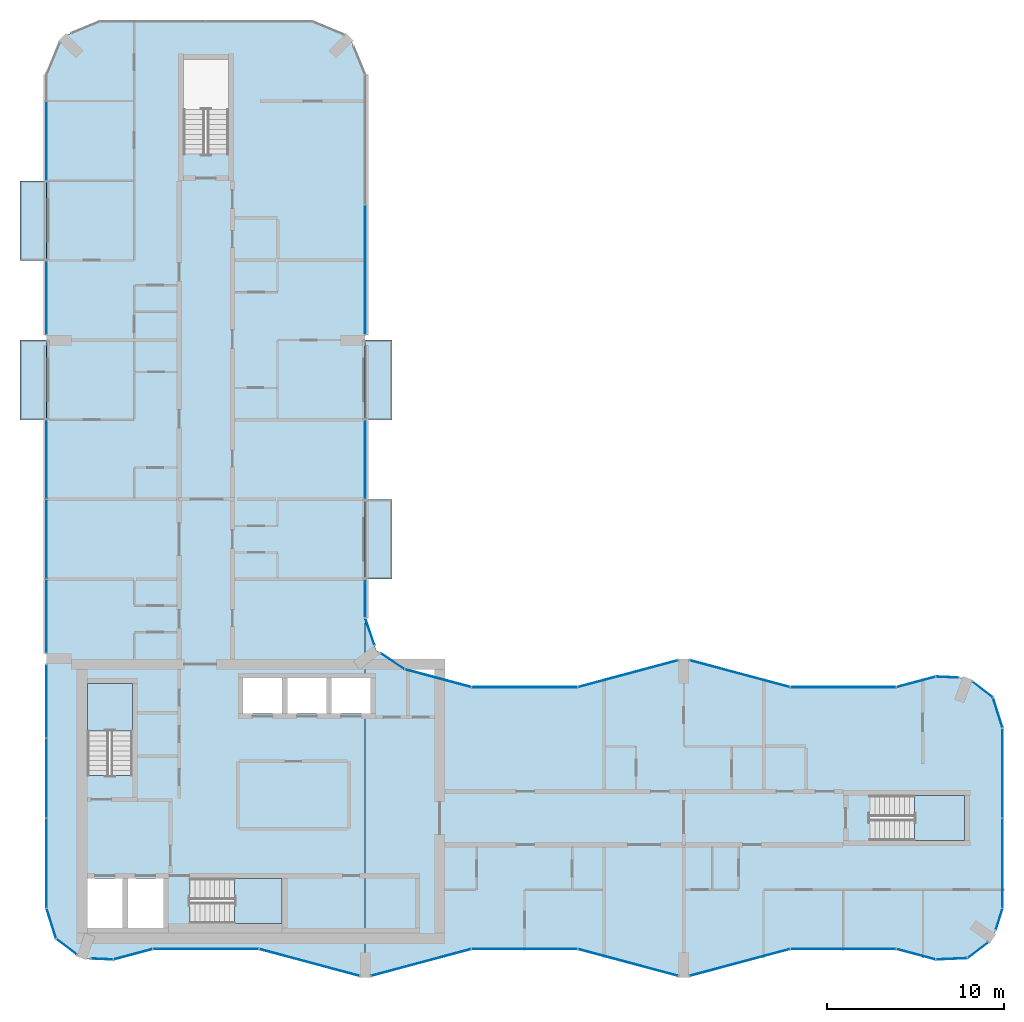
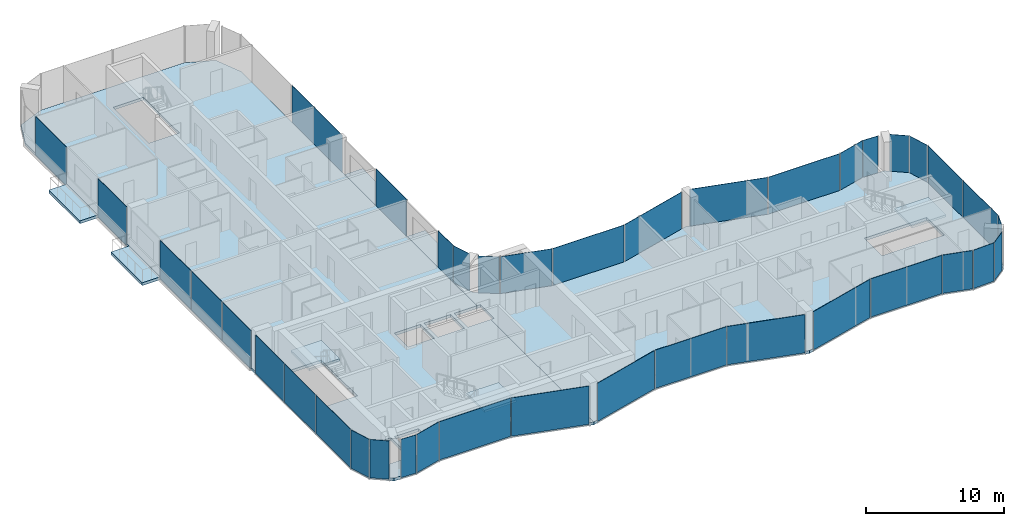
# One storey, part 8 of 15: 39 plates, 9 slabs, 37 elements without a shape of their own.
"""IFC4 building model written with IfcOpenShell, lengths in metres."""

from ifc_helpers import new_model, si_unit, direction, frame, origin, origin_2d, place, context, subcontext, project, spatial, polyline, rectangle, outline, extrude, material, layer, layer_set, type_object, element, aggregate, save


model = new_model("IFC4")

# Units and contexts
model_context = context("Model", 3, precision=1e-05, world=origin(), true_north=direction((0.0, 1.0)))
body_context = subcontext(model_context, "Body", "Model", "MODEL_VIEW")
ifc_project = project(units=[si_unit("LENGTHUNIT", "METRE"), si_unit("AREAUNIT", "SQUARE_METRE"), si_unit("VOLUMEUNIT", "CUBIC_METRE"), si_unit("PLANEANGLEUNIT", "RADIAN"), si_unit("MASSUNIT", "GRAM", prefix="KILO")], contexts=[model_context])

# Site, building, storey
site_placement = place(None, origin())
site = spatial("IfcSite", under=ifc_project, at=site_placement, CompositionType="ELEMENT")
building_placement = place(site_placement, origin())
building = spatial("IfcBuilding", under=site, at=building_placement, Name="Plateau Cross Towers", CompositionType="ELEMENT")
storey_placement = place(building_placement, frame((0.0, 0.0, 153.39990234375)))
storey = spatial("IfcBuildingStorey", under=building, at=storey_placement, Name="L39", CompositionType="ELEMENT", Elevation=153.39990234375)

# Slabs
ifc_material_1 = material(Name="Concrete C40/50", Category="concrete")
ifc_layer_1 = layer(ifc_material_1, 0.25)
ifc_layer_set_1 = layer_set([ifc_layer_1], Name="Concrete C40/50")
slab_type_1 = type_object("IfcSlabType", Name="Balcony slab 250", PredefinedType="FLOOR", material=ifc_layer_set_1)
slab_1_placement = place(storey_placement, frame((0.0, 0.0, -0.25)))
element("IfcSlab", 1, at=slab_1_placement, inside=storey, type_object=slab_type_1, Name="Balcony slab A-BAL-L39-01", PredefinedType="FLOOR", context=body_context, shape_type="SweptSolid", body=[
    extrude(outline(polyline([(0.0, 31.5), (0.0, 36.0), (-1.5, 36.0), (-1.5, 31.5), (0.0, 31.5)])), origin(), (0.0, 0.0, 1.0), 0.25),
])
slab_2_placement = place(storey_placement, frame((0.0, 0.0, -0.25)))
element("IfcSlab", 2, at=slab_2_placement, inside=storey, type_object=slab_type_1, Name="Balcony slab A-BAL-L39-02", PredefinedType="FLOOR", context=body_context, shape_type="SweptSolid", body=[
    extrude(outline(polyline([(0.0, 40.5), (0.0, 45.0), (-1.5, 45.0), (-1.5, 40.5), (0.0, 40.5)])), origin(), (0.0, 0.0, 1.0), 0.25),
])
slab_3_placement = place(storey_placement, frame((0.0, 0.0, -0.25)))
element("IfcSlab", 3, at=slab_3_placement, inside=storey, type_object=slab_type_1, Name="Balcony slab A-BAL-L39-03", PredefinedType="FLOOR", context=body_context, shape_type="SweptSolid", body=[
    extrude(outline(polyline([(19.5, 22.5), (19.5, 27.0), (18.0, 27.0), (18.0, 22.5), (19.5, 22.5)])), origin(), (0.0, 0.0, 1.0), 0.25),
])
slab_4_placement = place(storey_placement, frame((0.0, 0.0, -0.25)))
element("IfcSlab", 4, at=slab_4_placement, inside=storey, type_object=slab_type_1, Name="Balcony slab A-BAL-L39-04", PredefinedType="FLOOR", context=body_context, shape_type="SweptSolid", body=[
    extrude(outline(polyline([(19.5, 31.5), (19.5, 36.0), (18.0, 36.0), (18.0, 31.5), (19.5, 31.5)])), origin(), (0.0, 0.0, 1.0), 0.25),
])

# Curtain wall, plate
ifc_material_2 = material(Name="Dark low-iron glass", Category="glass")
ifc_layer_2 = layer(ifc_material_2, 0.239990234375)
ifc_layer_set_2 = layer_set([ifc_layer_2], Name="Dark low-iron glass")
curtain_wall_type_1 = type_object("IfcCurtainWallType", Name="Curtain wall flush unitised CW-B", PredefinedType="NOTDEFINED", material=ifc_layer_set_2)
curtain_wall_1_placement = place(storey_placement, origin())
curtain_wall_1 = element("IfcCurtainWall", 5, at=curtain_wall_1_placement, inside=storey, type_object=curtain_wall_type_1, Name="ENV/A/L39/A502_10", PredefinedType="NOTDEFINED")
ifc_layer_3 = layer(ifc_material_2, 0.031982421875)
ifc_layer_set_3 = layer_set([ifc_layer_3], Name="Dark low-iron glass")
plate_type_1 = type_object("IfcPlateType", Name="Glass panel 32 flush unitised", PredefinedType="CURTAIN_PANEL", material=ifc_layer_set_3)
plate_1_placement = place(storey_placement, frame((51.125, 1.05078125, -0.1298828125), z_axis=(0.0, 0.0, 1.0), x_axis=(0.999043701491, 0.043722791671, 0.0)))
plate_1 = element("IfcPlate", 6, at=plate_1_placement, type_object=plate_type_1, Name="CW-B panel 1", PredefinedType="CURTAIN_PANEL", context=body_context, shape_type="SweptSolid", body=[
    extrude(rectangle(XDim=1.744140625, YDim=0.031982421875, at=origin_2d()), origin(), (0.0, 0.0, 1.0), 3.3798828125),
])
aggregate(curtain_wall_1, [plate_1])

curtain_wall_2_placement = place(storey_placement, origin())
curtain_wall_2 = element("IfcCurtainWall", 7, at=curtain_wall_2_placement, inside=storey, type_object=curtain_wall_type_1, Name="ENV/A/L39/A520_11", PredefinedType="NOTDEFINED")
plate_2_placement = place(storey_placement, frame((52.60986328125, 1.5380859375, -0.1298828125), z_axis=(0.0, 0.0, 1.0), x_axis=(0.793315514529, 0.608810721331, 0.0)))
plate_2 = element("IfcPlate", 8, at=plate_2_placement, type_object=plate_type_1, Name="CW-B panel 1", PredefinedType="CURTAIN_PANEL", context=body_context, shape_type="SweptSolid", body=[
    extrude(rectangle(XDim=1.41162109375, YDim=0.031982421875, at=origin_2d()), origin(), (0.0, 0.0, 1.0), 3.3798828125),
])
aggregate(curtain_wall_2, [plate_2])

curtain_wall_3_placement = place(storey_placement, origin())
curtain_wall_3 = element("IfcCurtainWall", 9, at=curtain_wall_3_placement, inside=storey, type_object=curtain_wall_type_1, Name="ENV/A/L39/A536_27", PredefinedType="NOTDEFINED")
plate_3_placement = place(storey_placement, frame((53.805419921875, 3.292236328125, -0.1298828125), z_axis=(0.0, 0.0, 1.0), x_axis=(0.300686174994, 0.95372313811, 0.0)))
plate_3 = element("IfcPlate", 10, at=plate_3_placement, type_object=plate_type_1, Name="CW-B panel 1", PredefinedType="CURTAIN_PANEL", context=body_context, shape_type="SweptSolid", body=[
    extrude(rectangle(XDim=1.233642578125, YDim=0.031982421875, at=origin_2d()), origin(), (0.0, 0.0, 1.0), 3.3798828125),
])
aggregate(curtain_wall_3, [plate_3])

# Curtain wall, plates
curtain_wall_4_placement = place(storey_placement, origin())
curtain_wall_4 = element("IfcCurtainWall", 11, at=curtain_wall_4_placement, inside=storey, type_object=curtain_wall_type_1, Name="ENV/A/L39/A540_39", PredefinedType="NOTDEFINED")
plate_4_placement = place(storey_placement, frame((54.0, 6.45458984375, -0.1298828125), z_axis=(0.0, 0.0, 1.0), x_axis=(0.0, 1.0, 0.0)))
plate_4 = element("IfcPlate", 12, at=plate_4_placement, type_object=plate_type_1, Name="CW-B panel 1", PredefinedType="CURTAIN_PANEL", context=body_context, shape_type="SweptSolid", body=[
    extrude(rectangle(XDim=5.03076171875, YDim=0.031982421875, at=origin_2d()), origin(), (0.0, 0.0, 1.0), 3.3798828125),
])
plate_5_placement = place(storey_placement, frame((54.0, 11.54541015625, -0.1298828125), z_axis=(0.0, 0.0, 1.0), x_axis=(0.0, 1.0, 0.0)))
plate_5 = element("IfcPlate", 13, at=plate_5_placement, type_object=plate_type_1, Name="CW-B panel 2", PredefinedType="CURTAIN_PANEL", context=body_context, shape_type="SweptSolid", body=[
    extrude(rectangle(XDim=5.03076171875, YDim=0.031982421875, at=origin_2d()), origin(), (0.0, 0.0, 1.0), 3.3798828125),
])
aggregate(curtain_wall_4, [plate_4, plate_5])

# Curtain wall, plate
curtain_wall_5_placement = place(storey_placement, origin())
curtain_wall_5 = element("IfcCurtainWall", 14, at=curtain_wall_5_placement, inside=storey, type_object=curtain_wall_type_1, Name="ENV/A/L39/A540_141", PredefinedType="NOTDEFINED")
plate_6_placement = place(storey_placement, frame((53.728759765625, 14.951171875, -0.1298828125), z_axis=(0.0, 0.0, 1.0), x_axis=(-0.300686174994, 0.95372313811, 0.0)))
plate_6 = element("IfcPlate", 15, at=plate_6_placement, type_object=plate_type_1, Name="CW-B panel 1", PredefinedType="CURTAIN_PANEL", context=body_context, shape_type="SweptSolid", body=[
    extrude(rectangle(XDim=1.744140625, YDim=0.031982421875, at=origin_2d()), origin(), (0.0, 0.0, 1.0), 3.3798828125),
])
aggregate(curtain_wall_5, [plate_6])

curtain_wall_6_placement = place(storey_placement, origin())
curtain_wall_6 = element("IfcCurtainWall", 16, at=curtain_wall_6_placement, inside=storey, type_object=curtain_wall_type_1, Name="ENV/A/L39/A535_158", PredefinedType="NOTDEFINED")
plate_7_placement = place(storey_placement, frame((52.873779296875, 16.25927734375, -0.1298828125), z_axis=(0.0, 0.0, 1.0), x_axis=(-0.793315514529, 0.608810721331, 0.0)))
plate_7 = element("IfcPlate", 17, at=plate_7_placement, type_object=plate_type_1, Name="CW-B panel 1", PredefinedType="CURTAIN_PANEL", context=body_context, shape_type="SweptSolid", body=[
    extrude(rectangle(XDim=1.41162109375, YDim=0.031982421875, at=origin_2d()), origin(), (0.0, 0.0, 1.0), 3.3798828125),
])
aggregate(curtain_wall_6, [plate_7])

curtain_wall_7_placement = place(storey_placement, origin())
curtain_wall_7 = element("IfcCurtainWall", 18, at=curtain_wall_7_placement, inside=storey, type_object=curtain_wall_type_1, Name="ENV/A/L39/A515_169", PredefinedType="NOTDEFINED")
plate_8_placement = place(storey_placement, frame((50.8701171875, 16.96044921875, -0.1298828125), z_axis=(0.0, 0.0, 1.0), x_axis=(-0.999043701491, 0.043722791671, 0.0)))
plate_8 = element("IfcPlate", 19, at=plate_8_placement, type_object=plate_type_1, Name="CW-B panel 1", PredefinedType="CURTAIN_PANEL", context=body_context, shape_type="SweptSolid", body=[
    extrude(rectangle(XDim=1.233642578125, YDim=0.031982421875, at=origin_2d()), origin(), (0.0, 0.0, 1.0), 3.3798828125),
])
aggregate(curtain_wall_7, [plate_8])

curtain_wall_8_placement = place(storey_placement, origin())
curtain_wall_8 = element("IfcCurtainWall", 20, at=curtain_wall_8_placement, inside=storey, type_object=curtain_wall_type_1, Name="ENV/A/L39/A202_174", PredefinedType="NOTDEFINED")
plate_9_placement = place(storey_placement, frame((19.546630859375, 17.856689453125, -0.1298828125), z_axis=(0.0, 0.0, 1.0), x_axis=(-0.831521253329, 0.555492938984, 0.0)))
plate_9 = element("IfcPlate", 21, at=plate_9_placement, type_object=plate_type_1, Name="CW-B panel 1", PredefinedType="CURTAIN_PANEL", context=body_context, shape_type="SweptSolid", body=[
    extrude(rectangle(XDim=1.56884765625, YDim=0.031982421875, at=origin_2d()), origin(), (0.0, 0.0, 1.0), 3.3798828125),
])
aggregate(curtain_wall_8, [plate_9])

curtain_wall_9_placement = place(storey_placement, origin())
curtain_wall_9 = element("IfcCurtainWall", 22, at=curtain_wall_9_placement, inside=storey, type_object=curtain_wall_type_1, Name="ENV/A/L39/A185_188", PredefinedType="NOTDEFINED")
plate_10_placement = place(storey_placement, frame((18.26171875, 19.531005859375, -0.1298828125), z_axis=(0.0, 0.0, 1.0), x_axis=(-0.321469161574, 0.94692004845, 0.0)))
plate_10 = element("IfcPlate", 23, at=plate_10_placement, type_object=plate_type_1, Name="CW-B panel 1", PredefinedType="CURTAIN_PANEL", context=body_context, shape_type="SweptSolid", body=[
    extrude(rectangle(XDim=1.56884765625, YDim=0.031982421875, at=origin_2d()), origin(), (0.0, 0.0, 1.0), 3.3798828125),
])
aggregate(curtain_wall_9, [plate_10])

curtain_wall_10_placement = place(storey_placement, origin())
curtain_wall_10 = element("IfcCurtainWall", 24, at=curtain_wall_10_placement, inside=storey, type_object=curtain_wall_type_1, Name="ENV/A/L39/A180_203", PredefinedType="NOTDEFINED")
plate_11_placement = place(storey_placement, frame((18.0, 21.396240234375, -0.1298828125), z_axis=(0.0, 0.0, 1.0), x_axis=(0.0, 1.0, 0.0)))
plate_11 = element("IfcPlate", 25, at=plate_11_placement, type_object=plate_type_1, Name="CW-B panel 1", PredefinedType="CURTAIN_PANEL", context=body_context, shape_type="SweptSolid", body=[
    extrude(rectangle(XDim=2.127685546875, YDim=0.031982421875, at=origin_2d()), origin(), (0.0, 0.0, 1.0), 3.3798828125),
])
aggregate(curtain_wall_10, [plate_11])

curtain_wall_11_placement = place(storey_placement, origin())
curtain_wall_11 = element("IfcCurtainWall", 26, at=curtain_wall_11_placement, inside=storey, type_object=curtain_wall_type_1, Name="ENV/A/L39/A180_270", PredefinedType="NOTDEFINED")
plate_12_placement = place(storey_placement, frame((18.0, 29.25, -0.1298828125), z_axis=(0.0, 0.0, 1.0), x_axis=(0.0, 1.0, 0.0)))
plate_12 = element("IfcPlate", 27, at=plate_12_placement, type_object=plate_type_1, Name="CW-B panel 1", PredefinedType="CURTAIN_PANEL", context=body_context, shape_type="SweptSolid", body=[
    extrude(rectangle(XDim=4.419921875, YDim=0.031982421875, at=origin_2d()), origin(), (0.0, 0.0, 1.0), 3.3798828125),
])
aggregate(curtain_wall_11, [plate_12])

curtain_wall_12_placement = place(storey_placement, origin())
curtain_wall_12 = element("IfcCurtainWall", 28, at=curtain_wall_12_placement, inside=storey, type_object=curtain_wall_type_1, Name="ENV/A/L39/A180_363", PredefinedType="NOTDEFINED")
plate_13_placement = place(storey_placement, frame((18.0, 39.97509765625, -0.1298828125), z_axis=(0.0, 0.0, 1.0), x_axis=(0.0, 1.0, 0.0)))
plate_13 = element("IfcPlate", 29, at=plate_13_placement, type_object=plate_type_1, Name="CW-B panel 1", PredefinedType="CURTAIN_PANEL", context=body_context, shape_type="SweptSolid", body=[
    extrude(rectangle(XDim=7.2900390625, YDim=0.031982421875, at=origin_2d()), origin(), (0.0, 0.0, 1.0), 3.3798828125),
])
aggregate(curtain_wall_12, [plate_13])

curtain_wall_13_placement = place(storey_placement, origin())
curtain_wall_13 = element("IfcCurtainWall", 30, at=curtain_wall_13_placement, inside=storey, type_object=curtain_wall_type_1, Name="ENV/A/L39/A0_510", PredefinedType="NOTDEFINED")
plate_14_placement = place(storey_placement, frame((0.0, 47.2548828125, -0.1298828125), z_axis=(0.0, 0.0, 1.0), x_axis=(0.0, -1.0, 0.0)))
plate_14 = element("IfcPlate", 31, at=plate_14_placement, type_object=plate_type_1, Name="CW-B panel 2", PredefinedType="CURTAIN_PANEL", context=body_context, shape_type="SweptSolid", body=[
    extrude(rectangle(XDim=4.429931640625, YDim=0.031982421875, at=origin_2d()), origin(), (0.0, 0.0, 1.0), 3.3798828125),
])
aggregate(curtain_wall_13, [plate_14])

curtain_wall_14_placement = place(storey_placement, origin())
curtain_wall_14 = element("IfcCurtainWall", 32, at=curtain_wall_14_placement, inside=storey, type_object=curtain_wall_type_1, Name="ENV/A/L39/A0_405", PredefinedType="NOTDEFINED")
plate_15_placement = place(storey_placement, frame((0.0, 38.39501953125, -0.1298828125), z_axis=(0.0, 0.0, 1.0), x_axis=(0.0, -1.0, 0.0)))
plate_15 = element("IfcPlate", 33, at=plate_15_placement, type_object=plate_type_1, Name="CW-B panel 1", PredefinedType="CURTAIN_PANEL", context=body_context, shape_type="SweptSolid", body=[
    extrude(rectangle(XDim=4.1298828125, YDim=0.031982421875, at=origin_2d()), origin(), (0.0, 0.0, 1.0), 3.3798828125),
])
aggregate(curtain_wall_14, [plate_15])

# Curtain wall, plates
curtain_wall_15_placement = place(storey_placement, origin())
curtain_wall_15 = element("IfcCurtainWall", 34, at=curtain_wall_15_placement, inside=storey, type_object=curtain_wall_type_1, Name="ENV/A/L39/A0_315", PredefinedType="NOTDEFINED")
plate_16_placement = place(storey_placement, frame((0.0, 29.2451171875, -0.1298828125), z_axis=(0.0, 0.0, 1.0), x_axis=(0.0, -1.0, 0.0)))
plate_16 = element("IfcPlate", 35, at=plate_16_placement, type_object=plate_type_1, Name="CW-B panel 1", PredefinedType="CURTAIN_PANEL", context=body_context, shape_type="SweptSolid", body=[
    extrude(rectangle(XDim=4.429931640625, YDim=0.031982421875, at=origin_2d()), origin(), (0.0, 0.0, 1.0), 3.3798828125),
])
plate_17_placement = place(storey_placement, frame((0.0, 24.75, -0.1298828125), z_axis=(0.0, 0.0, 1.0), x_axis=(0.0, -1.0, 0.0)))
plate_17 = element("IfcPlate", 36, at=plate_17_placement, type_object=plate_type_1, Name="CW-B panel 2", PredefinedType="CURTAIN_PANEL", context=body_context, shape_type="SweptSolid", body=[
    extrude(rectangle(XDim=4.43994140625, YDim=0.031982421875, at=origin_2d()), origin(), (0.0, 0.0, 1.0), 3.3798828125),
])
plate_18_placement = place(storey_placement, frame((0.0, 20.39990234375, -0.1298828125), z_axis=(0.0, 0.0, 1.0), x_axis=(0.0, -1.0, 0.0)))
plate_18 = element("IfcPlate", 37, at=plate_18_placement, type_object=plate_type_1, Name="CW-B panel 3", PredefinedType="CURTAIN_PANEL", context=body_context, shape_type="SweptSolid", body=[
    extrude(rectangle(XDim=4.139892578125, YDim=0.031982421875, at=origin_2d()), origin(), (0.0, 0.0, 1.0), 3.3798828125),
])
aggregate(curtain_wall_15, [plate_16, plate_17, plate_18])

curtain_wall_16_placement = place(storey_placement, origin())
curtain_wall_16 = element("IfcCurtainWall", 38, at=curtain_wall_16_placement, inside=storey, type_object=curtain_wall_type_1, Name="ENV/A/L39/A0_177", PredefinedType="NOTDEFINED")
plate_19_placement = place(storey_placement, frame((0.0, 15.60009765625, -0.1298828125), z_axis=(0.0, 0.0, 1.0), x_axis=(0.0, -1.0, 0.0)))
plate_19 = element("IfcPlate", 39, at=plate_19_placement, type_object=plate_type_1, Name="CW-B panel 1", PredefinedType="CURTAIN_PANEL", context=body_context, shape_type="SweptSolid", body=[
    extrude(rectangle(XDim=4.139892578125, YDim=0.031982421875, at=origin_2d()), origin(), (0.0, 0.0, 1.0), 3.3798828125),
])
plate_20_placement = place(storey_placement, frame((0.0, 11.25, -0.1298828125), z_axis=(0.0, 0.0, 1.0), x_axis=(0.0, -1.0, 0.0)))
plate_20 = element("IfcPlate", 40, at=plate_20_placement, type_object=plate_type_1, Name="CW-B panel 2", PredefinedType="CURTAIN_PANEL", context=body_context, shape_type="SweptSolid", body=[
    extrude(rectangle(XDim=4.43994140625, YDim=0.031982421875, at=origin_2d()), origin(), (0.0, 0.0, 1.0), 3.3798828125),
])
plate_21_placement = place(storey_placement, frame((0.0, 6.45458984375, -0.1298828125), z_axis=(0.0, 0.0, 1.0), x_axis=(0.0, -1.0, 0.0)))
plate_21 = element("IfcPlate", 41, at=plate_21_placement, type_object=plate_type_1, Name="CW-B panel 3", PredefinedType="CURTAIN_PANEL", context=body_context, shape_type="SweptSolid", body=[
    extrude(rectangle(XDim=5.03076171875, YDim=0.031982421875, at=origin_2d()), origin(), (0.0, 0.0, 1.0), 3.3798828125),
])
aggregate(curtain_wall_16, [plate_19, plate_20, plate_21])

# Curtain wall, plate
curtain_wall_17_placement = place(storey_placement, origin())
curtain_wall_17 = element("IfcCurtainWall", 42, at=curtain_wall_17_placement, inside=storey, type_object=curtain_wall_type_1, Name="ENV/A/L39/A0_39", PredefinedType="NOTDEFINED")
plate_22_placement = place(storey_placement, frame((0.271240234375, 3.048828125, -0.1298828125), z_axis=(0.0, 0.0, 1.0), x_axis=(0.300686174994, -0.95372313811, 0.0)))
plate_22 = element("IfcPlate", 43, at=plate_22_placement, type_object=plate_type_1, Name="CW-B panel 1", PredefinedType="CURTAIN_PANEL", context=body_context, shape_type="SweptSolid", body=[
    extrude(rectangle(XDim=1.744140625, YDim=0.031982421875, at=origin_2d()), origin(), (0.0, 0.0, 1.0), 3.3798828125),
])
aggregate(curtain_wall_17, [plate_22])

curtain_wall_18_placement = place(storey_placement, origin())
curtain_wall_18 = element("IfcCurtainWall", 44, at=curtain_wall_18_placement, inside=storey, type_object=curtain_wall_type_1, Name="ENV/A/L39/A5_22", PredefinedType="NOTDEFINED")
plate_23_placement = place(storey_placement, frame((1.126220703125, 1.74072265625, -0.1298828125), z_axis=(0.0, 0.0, 1.0), x_axis=(0.793315514529, -0.608810721331, 0.0)))
plate_23 = element("IfcPlate", 45, at=plate_23_placement, type_object=plate_type_1, Name="CW-B panel 1", PredefinedType="CURTAIN_PANEL", context=body_context, shape_type="SweptSolid", body=[
    extrude(rectangle(XDim=1.41162109375, YDim=0.031982421875, at=origin_2d()), origin(), (0.0, 0.0, 1.0), 3.3798828125),
])
aggregate(curtain_wall_18, [plate_23])

curtain_wall_19_placement = place(storey_placement, origin())
curtain_wall_19 = element("IfcCurtainWall", 46, at=curtain_wall_19_placement, inside=storey, type_object=curtain_wall_type_1, Name="ENV/A/L39/A25_11", PredefinedType="NOTDEFINED")
plate_24_placement = place(storey_placement, frame((3.1298828125, 1.03955078125, -0.1298828125), z_axis=(0.0, 0.0, 1.0), x_axis=(0.999043701491, -0.043722791671, 0.0)))
plate_24 = element("IfcPlate", 47, at=plate_24_placement, type_object=plate_type_1, Name="CW-B panel 1", PredefinedType="CURTAIN_PANEL", context=body_context, shape_type="SweptSolid", body=[
    extrude(rectangle(XDim=1.233642578125, YDim=0.031982421875, at=origin_2d()), origin(), (0.0, 0.0, 1.0), 3.3798828125),
])
aggregate(curtain_wall_19, [plate_24])

ifc_layer_4 = layer(ifc_material_2, 0.260009765625)
ifc_layer_set_4 = layer_set([ifc_layer_4], Name="Dark low-iron glass")
curtain_wall_type_2 = type_object("IfcCurtainWallType", Name="Curtain wall fluted unitised CW-A", PredefinedType="NOTDEFINED", material=ifc_layer_set_4)
curtain_wall_20_placement = place(storey_placement, origin())
curtain_wall_20 = element("IfcCurtainWall", 48, at=curtain_wall_20_placement, inside=storey, type_object=curtain_wall_type_2, Name="ENV/A/L39/A38_10", PredefinedType="NOTDEFINED")
ifc_layer_5 = layer(ifc_material_2, 0.035888671875)
ifc_layer_set_5 = layer_set([ifc_layer_5], Name="Dark low-iron glass")
plate_type_2 = type_object("IfcPlateType", Name="Glass panel 36 fluted unitised", PredefinedType="CURTAIN_PANEL", material=ifc_layer_set_5)
plate_25_placement = place(storey_placement, frame((4.887939453125, 1.30908203125, -0.1298828125), z_axis=(0.0, 0.0, 1.0), x_axis=(0.965957962328, 0.258699081978, 0.0)))
plate_25 = element("IfcPlate", 49, at=plate_25_placement, type_object=plate_type_2, Name="CW-A panel 1", PredefinedType="CURTAIN_PANEL", context=body_context, shape_type="SweptSolid", body=[
    extrude(rectangle(XDim=2.2421875, YDim=0.035888671875, at=origin_2d()), origin(), (0.0, 0.0, 1.0), 3.3798828125),
])
aggregate(curtain_wall_20, [plate_25])

curtain_wall_21_placement = place(storey_placement, origin())
curtain_wall_21 = element("IfcCurtainWall", 50, at=curtain_wall_21_placement, inside=storey, type_object=curtain_wall_type_2, Name="ENV/A/L39/A60_16", PredefinedType="NOTDEFINED")
plate_26_placement = place(storey_placement, frame((9.0, 1.60693359375, -0.1298828125), z_axis=(0.0, 0.0, 1.0), x_axis=(1.0, 0.0, 0.0)))
plate_26 = element("IfcPlate", 51, at=plate_26_placement, type_object=plate_type_2, Name="CW-A panel 1", PredefinedType="CURTAIN_PANEL", context=body_context, shape_type="SweptSolid", body=[
    extrude(rectangle(XDim=5.93994140625, YDim=0.035888671875, at=origin_2d()), origin(), (0.0, 0.0, 1.0), 3.3798828125),
])
aggregate(curtain_wall_21, [plate_26])

curtain_wall_22_placement = place(storey_placement, origin())
curtain_wall_22 = element("IfcCurtainWall", 52, at=curtain_wall_22_placement, inside=storey, type_object=curtain_wall_type_2, Name="ENV/A/L39/A120_16", PredefinedType="NOTDEFINED")
plate_27_placement = place(storey_placement, frame((14.841064453125, 0.845947265625, -0.1298828125), z_axis=(0.0, 0.0, 1.0), x_axis=(0.965957983404, -0.258699003279, 0.0)))
plate_27 = element("IfcPlate", 53, at=plate_27_placement, type_object=plate_type_2, Name="CW-A panel 1", PredefinedType="CURTAIN_PANEL", context=body_context, shape_type="SweptSolid", body=[
    extrude(rectangle(XDim=5.822265625, YDim=0.035888671875, at=origin_2d()), origin(), (0.0, 0.0, 1.0), 3.3798828125),
])
aggregate(curtain_wall_22, [plate_27])

curtain_wall_23_placement = place(storey_placement, origin())
curtain_wall_23 = element("IfcCurtainWall", 54, at=curtain_wall_23_placement, inside=storey, type_object=curtain_wall_type_2, Name="ENV/A/L39/A183_1", PredefinedType="NOTDEFINED")
plate_28_placement = place(storey_placement, frame((21.158935546875, 0.845947265625, -0.1298828125), z_axis=(0.0, 0.0, 1.0), x_axis=(0.965957983404, 0.258699003279, 0.0)))
plate_28 = element("IfcPlate", 55, at=plate_28_placement, type_object=plate_type_2, Name="CW-A panel 1", PredefinedType="CURTAIN_PANEL", context=body_context, shape_type="SweptSolid", body=[
    extrude(rectangle(XDim=5.822265625, YDim=0.035888671875, at=origin_2d()), origin(), (0.0, 0.0, 1.0), 3.3798828125),
])
aggregate(curtain_wall_23, [plate_28])

curtain_wall_24_placement = place(storey_placement, origin())
curtain_wall_24 = element("IfcCurtainWall", 56, at=curtain_wall_24_placement, inside=storey, type_object=curtain_wall_type_2, Name="ENV/A/L39/A240_16", PredefinedType="NOTDEFINED")
plate_29_placement = place(storey_placement, frame((27.0, 1.60693359375, -0.1298828125), z_axis=(0.0, 0.0, 1.0), x_axis=(1.0, 0.0, 0.0)))
plate_29 = element("IfcPlate", 57, at=plate_29_placement, type_object=plate_type_2, Name="CW-A panel 1", PredefinedType="CURTAIN_PANEL", context=body_context, shape_type="SweptSolid", body=[
    extrude(rectangle(XDim=5.93994140625, YDim=0.035888671875, at=origin_2d()), origin(), (0.0, 0.0, 1.0), 3.3798828125),
])
aggregate(curtain_wall_24, [plate_29])

curtain_wall_25_placement = place(storey_placement, origin())
curtain_wall_25 = element("IfcCurtainWall", 58, at=curtain_wall_25_placement, inside=storey, type_object=curtain_wall_type_2, Name="ENV/A/L39/A300_16", PredefinedType="NOTDEFINED")
plate_30_placement = place(storey_placement, frame((32.841064453125, 0.845947265625, -0.1298828125), z_axis=(0.0, 0.0, 1.0), x_axis=(0.965957983404, -0.258699003279, 0.0)))
plate_30 = element("IfcPlate", 59, at=plate_30_placement, type_object=plate_type_2, Name="CW-A panel 1", PredefinedType="CURTAIN_PANEL", context=body_context, shape_type="SweptSolid", body=[
    extrude(rectangle(XDim=5.822265625, YDim=0.035888671875, at=origin_2d()), origin(), (0.0, 0.0, 1.0), 3.3798828125),
])
aggregate(curtain_wall_25, [plate_30])

curtain_wall_26_placement = place(storey_placement, origin())
curtain_wall_26 = element("IfcCurtainWall", 60, at=curtain_wall_26_placement, inside=storey, type_object=curtain_wall_type_2, Name="ENV/A/L39/A363_1", PredefinedType="NOTDEFINED")
plate_31_placement = place(storey_placement, frame((39.158935546875, 0.845947265625, -0.1298828125), z_axis=(0.0, 0.0, 1.0), x_axis=(0.965957983404, 0.258699003279, 0.0)))
plate_31 = element("IfcPlate", 61, at=plate_31_placement, type_object=plate_type_2, Name="CW-A panel 1", PredefinedType="CURTAIN_PANEL", context=body_context, shape_type="SweptSolid", body=[
    extrude(rectangle(XDim=5.822265625, YDim=0.035888671875, at=origin_2d()), origin(), (0.0, 0.0, 1.0), 3.3798828125),
])
aggregate(curtain_wall_26, [plate_31])

curtain_wall_27_placement = place(storey_placement, origin())
curtain_wall_27 = element("IfcCurtainWall", 62, at=curtain_wall_27_placement, inside=storey, type_object=curtain_wall_type_2, Name="ENV/A/L39/A420_16", PredefinedType="NOTDEFINED")
plate_32_placement = place(storey_placement, frame((45.0, 1.60693359375, -0.1298828125), z_axis=(0.0, 0.0, 1.0), x_axis=(1.0, 0.0, 0.0)))
plate_32 = element("IfcPlate", 63, at=plate_32_placement, type_object=plate_type_2, Name="CW-A panel 1", PredefinedType="CURTAIN_PANEL", context=body_context, shape_type="SweptSolid", body=[
    extrude(rectangle(XDim=5.93994140625, YDim=0.035888671875, at=origin_2d()), origin(), (0.0, 0.0, 1.0), 3.3798828125),
])
aggregate(curtain_wall_27, [plate_32])

curtain_wall_28_placement = place(storey_placement, origin())
curtain_wall_28 = element("IfcCurtainWall", 64, at=curtain_wall_28_placement, inside=storey, type_object=curtain_wall_type_2, Name="ENV/A/L39/A480_16", PredefinedType="NOTDEFINED")
plate_33_placement = place(storey_placement, frame((49.112060546875, 1.30908203125, -0.1298828125), z_axis=(0.0, 0.0, 1.0), x_axis=(0.965957962328, -0.258699081978, 0.0)))
plate_33 = element("IfcPlate", 65, at=plate_33_placement, type_object=plate_type_2, Name="CW-A panel 1", PredefinedType="CURTAIN_PANEL", context=body_context, shape_type="SweptSolid", body=[
    extrude(rectangle(XDim=2.2421875, YDim=0.035888671875, at=origin_2d()), origin(), (0.0, 0.0, 1.0), 3.3798828125),
])
aggregate(curtain_wall_28, [plate_33])

curtain_wall_29_placement = place(storey_placement, origin())
curtain_wall_29 = element("IfcCurtainWall", 66, at=curtain_wall_29_placement, inside=storey, type_object=curtain_wall_type_2, Name="ENV/A/L39/A502_170", PredefinedType="NOTDEFINED")
plate_34_placement = place(storey_placement, frame((49.112060546875, 16.69091796875, -0.1298828125), z_axis=(0.0, 0.0, 1.0), x_axis=(-0.965957962328, -0.258699081978, 0.0)))
plate_34 = element("IfcPlate", 67, at=plate_34_placement, type_object=plate_type_2, Name="CW-A panel 1", PredefinedType="CURTAIN_PANEL", context=body_context, shape_type="SweptSolid", body=[
    extrude(rectangle(XDim=2.2421875, YDim=0.035888671875, at=origin_2d()), origin(), (0.0, 0.0, 1.0), 3.3798828125),
])
aggregate(curtain_wall_29, [plate_34])

curtain_wall_30_placement = place(storey_placement, origin())
curtain_wall_30 = element("IfcCurtainWall", 68, at=curtain_wall_30_placement, inside=storey, type_object=curtain_wall_type_2, Name="ENV/A/L39/A480_164", PredefinedType="NOTDEFINED")
plate_35_placement = place(storey_placement, frame((45.0, 16.39306640625, -0.1298828125), z_axis=(0.0, 0.0, 1.0), x_axis=(-1.0, 0.0, 0.0)))
plate_35 = element("IfcPlate", 69, at=plate_35_placement, type_object=plate_type_2, Name="CW-A panel 1", PredefinedType="CURTAIN_PANEL", context=body_context, shape_type="SweptSolid", body=[
    extrude(rectangle(XDim=5.93994140625, YDim=0.035888671875, at=origin_2d()), origin(), (0.0, 0.0, 1.0), 3.3798828125),
])
aggregate(curtain_wall_30, [plate_35])

curtain_wall_31_placement = place(storey_placement, origin())
curtain_wall_31 = element("IfcCurtainWall", 70, at=curtain_wall_31_placement, inside=storey, type_object=curtain_wall_type_2, Name="ENV/A/L39/A420_164", PredefinedType="NOTDEFINED")
plate_36_placement = place(storey_placement, frame((39.158935546875, 17.154052734375, -0.1298828125), z_axis=(0.0, 0.0, 1.0), x_axis=(-0.965957983404, 0.258699003279, 0.0)))
plate_36 = element("IfcPlate", 71, at=plate_36_placement, type_object=plate_type_2, Name="CW-A panel 1", PredefinedType="CURTAIN_PANEL", context=body_context, shape_type="SweptSolid", body=[
    extrude(rectangle(XDim=5.822265625, YDim=0.035888671875, at=origin_2d()), origin(), (0.0, 0.0, 1.0), 3.3798828125),
])
aggregate(curtain_wall_31, [plate_36])

curtain_wall_32_placement = place(storey_placement, origin())
curtain_wall_32 = element("IfcCurtainWall", 72, at=curtain_wall_32_placement, inside=storey, type_object=curtain_wall_type_2, Name="ENV/A/L39/A357_179", PredefinedType="NOTDEFINED")
plate_37_placement = place(storey_placement, frame((32.841064453125, 17.154052734375, -0.1298828125), z_axis=(0.0, 0.0, 1.0), x_axis=(-0.965957983404, -0.258699003279, 0.0)))
plate_37 = element("IfcPlate", 73, at=plate_37_placement, type_object=plate_type_2, Name="CW-A panel 1", PredefinedType="CURTAIN_PANEL", context=body_context, shape_type="SweptSolid", body=[
    extrude(rectangle(XDim=5.822265625, YDim=0.035888671875, at=origin_2d()), origin(), (0.0, 0.0, 1.0), 3.3798828125),
])
aggregate(curtain_wall_32, [plate_37])

curtain_wall_33_placement = place(storey_placement, origin())
curtain_wall_33 = element("IfcCurtainWall", 74, at=curtain_wall_33_placement, inside=storey, type_object=curtain_wall_type_2, Name="ENV/A/L39/A300_164", PredefinedType="NOTDEFINED")
plate_38_placement = place(storey_placement, frame((27.0, 16.39306640625, -0.1298828125), z_axis=(0.0, 0.0, 1.0), x_axis=(-1.0, 0.0, 0.0)))
plate_38 = element("IfcPlate", 75, at=plate_38_placement, type_object=plate_type_2, Name="CW-A panel 1", PredefinedType="CURTAIN_PANEL", context=body_context, shape_type="SweptSolid", body=[
    extrude(rectangle(XDim=5.93994140625, YDim=0.035888671875, at=origin_2d()), origin(), (0.0, 0.0, 1.0), 3.3798828125),
])
aggregate(curtain_wall_33, [plate_38])

curtain_wall_34_placement = place(storey_placement, origin())
curtain_wall_34 = element("IfcCurtainWall", 76, at=curtain_wall_34_placement, inside=storey, type_object=curtain_wall_type_2, Name="ENV/A/L39/A240_164", PredefinedType="NOTDEFINED")
plate_39_placement = place(storey_placement, frame((22.112060546875, 16.898681640625, -0.1298828125), z_axis=(0.0, 0.0, 1.0), x_axis=(-0.965957995816, 0.258698956933, 0.0)))
plate_39 = element("IfcPlate", 77, at=plate_39_placement, type_object=plate_type_2, Name="CW-A panel 1", PredefinedType="CURTAIN_PANEL", context=body_context, shape_type="SweptSolid", body=[
    extrude(rectangle(XDim=3.84912109375, YDim=0.035888671875, at=origin_2d()), origin(), (0.0, 0.0, 1.0), 3.3798828125),
])
aggregate(curtain_wall_34, [plate_39])

# Slabs
ifc_layer_6 = layer(ifc_material_1, 0.25)
ifc_layer_set_6 = layer_set([ifc_layer_6], Name="Concrete C40/50")
slab_type_2 = type_object("IfcSlabType", Name="Post-tensioned flat plate slab 250", PredefinedType="FLOOR", material=ifc_layer_set_6)
slab_5_placement = place(storey_placement, frame((0.0, 0.0, -0.25)))
element("IfcSlab", 78, at=slab_5_placement, inside=storey, type_object=slab_type_2, Name="SL-A-L39 1", PredefinedType="FLOOR", context=body_context, shape_type="SweptSolid", body=[
    extrude(outline(polyline([(0.54248046875, 2.1884765625), (0.0, 3.9091796875), (0.0, 51.0), (0.878662109375, 53.121337890625), (3.0, 54.0), (15.0, 54.0), (17.121337890625, 53.121337890625), (18.0, 51.0), (18.0, 20.30224609375), (18.0, 16.89990234375), (16.10009765625, 16.89990234375), (16.10009765625, 14.89990234375), (18.0, 14.89990234375), (18.0, 0.0), (12.0, 1.60693359375), (6.0, 1.60693359375), (3.776123046875, 1.01123046875), (1.9736328125, 1.090087890625), (0.54248046875, 2.1884765625)]), holes=[polyline([(2.300048828125, 5.60009765625), (2.300048828125, 2.800048828125), (4.300048828125, 2.800048828125), (4.300048828125, 5.60009765625), (2.300048828125, 5.60009765625)]), polyline([(4.60009765625, 5.60009765625), (4.60009765625, 2.800048828125), (6.60009765625, 2.800048828125), (6.60009765625, 5.60009765625), (4.60009765625, 5.60009765625)]), polyline([(8.10009765625, 5.60009765625), (8.10009765625, 3.050048828125), (13.300048828125, 3.050048828125), (13.300048828125, 5.60009765625), (8.10009765625, 5.60009765625)]), polyline([(2.300048828125, 11.39990234375), (4.85009765625, 11.39990234375), (4.85009765625, 16.60009765625), (2.300048828125, 16.60009765625), (2.300048828125, 11.39990234375)]), polyline([(11.10009765625, 16.89990234375), (11.10009765625, 14.89990234375), (13.300048828125, 14.89990234375), (13.300048828125, 16.89990234375), (11.10009765625, 16.89990234375)]), polyline([(13.60009765625, 16.89990234375), (13.60009765625, 14.89990234375), (15.800048828125, 14.89990234375), (15.800048828125, 16.89990234375), (13.60009765625, 16.89990234375)]), polyline([(7.72509765625, 51.699951171875), (7.72509765625, 46.5), (10.27490234375, 46.5), (10.27490234375, 51.699951171875), (7.72509765625, 51.699951171875)])]), origin(), (0.0, 0.0, 1.0), 0.25),
])
slab_6_placement = place(storey_placement, frame((0.0, 0.0, -0.25)))
element("IfcSlab", 79, at=slab_6_placement, inside=storey, type_object=slab_type_2, Name="SL-A-L39 2", PredefinedType="FLOOR", context=body_context, shape_type="SweptSolid", body=[
    extrude(outline(polyline([(18.6201171875, 18.475830078125), (20.223876953125, 17.404296875), (24.0, 16.39306640625), (30.0, 16.39306640625), (36.0, 18.0), (42.0, 16.39306640625), (48.0, 16.39306640625), (50.223876953125, 16.98876953125), (52.0263671875, 16.909912109375), (53.45751953125, 15.8115234375), (54.0, 14.0908203125), (54.0, 3.9091796875), (53.45751953125, 2.1884765625), (52.0263671875, 1.090087890625), (50.223876953125, 1.01123046875), (48.0, 1.60693359375), (42.0, 1.60693359375), (36.0, 0.0), (30.0, 1.60693359375), (24.0, 1.60693359375), (18.0, 0.0), (18.0, 14.89990234375), (18.300048828125, 14.89990234375), (18.300048828125, 16.89990234375), (18.0, 16.89990234375), (18.0, 20.30224609375), (18.6201171875, 18.475830078125)]), holes=[polyline([(46.5, 10.27490234375), (46.5, 7.72509765625), (51.699951171875, 7.72509765625), (51.699951171875, 10.27490234375), (46.5, 10.27490234375)])]), origin(), (0.0, 0.0, 1.0), 0.25),
])

# Stair, slab
stair_type = type_object("IfcStairType", Name="ST-TWR", PredefinedType="HALF_TURN_STAIR", material=ifc_material_1)
stair_1_placement = place(storey_placement, origin())
stair_1 = element("IfcStair", 80, at=stair_1_placement, inside=storey, type_object=stair_type, Name="L39 Protected Exit Stair ST-1", PredefinedType="HALF_TURN_STAIR")
ifc_layer_7 = layer(ifc_material_1, 0.199951171875)
ifc_layer_set_7 = layer_set([ifc_layer_7], Name="Concrete C40/50")
slab_type_3 = type_object("IfcSlabType", Name="SL-LANDING", PredefinedType="LANDING", material=ifc_layer_set_7)
slab_7_placement = place(storey_placement, frame((0.0, 0.0, 1.550048828125)))
slab_7 = element("IfcSlab", 81, at=slab_7_placement, type_object=slab_type_3, Name="ST-1 landing 1", PredefinedType="LANDING", context=body_context, shape_type="SweptSolid", body=[
    extrude(outline(polyline([(4.85009765625, 13.919921875), (4.85009765625, 16.60009765625), (2.300048828125, 16.60009765625), (2.300048828125, 13.919921875), (4.85009765625, 13.919921875)])), origin(), (0.0, 0.0, 1.0), 0.199951171875),
])
aggregate(stair_1, [slab_7])

stair_2_placement = place(storey_placement, origin())
stair_2 = element("IfcStair", 82, at=stair_2_placement, inside=storey, type_object=stair_type, Name="L39 Protected Exit Stair ST-2", PredefinedType="HALF_TURN_STAIR")
slab_8_placement = place(storey_placement, frame((0.0, 0.0, 1.550048828125)))
slab_8 = element("IfcSlab", 83, at=slab_8_placement, type_object=slab_type_3, Name="ST-2 landing 1", PredefinedType="LANDING", context=body_context, shape_type="SweptSolid", body=[
    extrude(outline(polyline([(10.6201171875, 3.050048828125), (13.300048828125, 3.050048828125), (13.300048828125, 5.60009765625), (10.6201171875, 5.60009765625), (10.6201171875, 3.050048828125)])), origin(), (0.0, 0.0, 1.0), 0.199951171875),
])
aggregate(stair_2, [slab_8])

stair_3_placement = place(storey_placement, origin())
stair_3 = element("IfcStair", 84, at=stair_3_placement, inside=storey, type_object=stair_type, Name="L39 Protected Exit Stair E", PredefinedType="HALF_TURN_STAIR")
slab_9_placement = place(storey_placement, frame((0.0, 0.0, 1.550048828125)))
slab_9 = element("IfcSlab", 85, at=slab_9_placement, type_object=slab_type_3, Name="ES-E landing 1", PredefinedType="LANDING", context=body_context, shape_type="SweptSolid", body=[
    extrude(outline(polyline([(49.02001953125, 7.72509765625), (51.85009765625, 7.72509765625), (51.85009765625, 10.27490234375), (49.02001953125, 10.27490234375), (49.02001953125, 7.72509765625)])), origin(), (0.0, 0.0, 1.0), 0.199951171875),
])
aggregate(stair_3, [slab_9])

save(model, "model.ifc")
